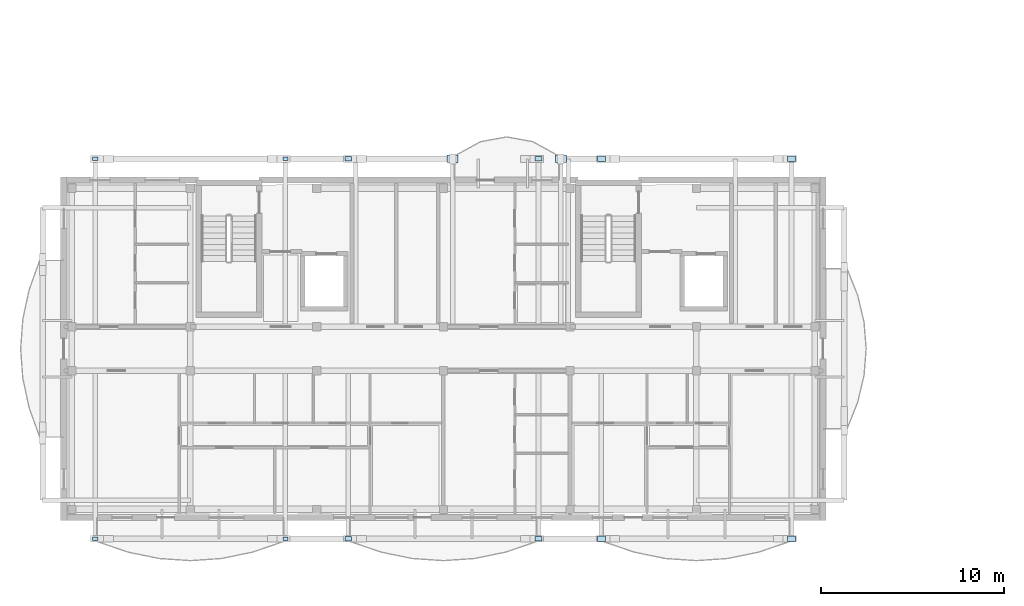
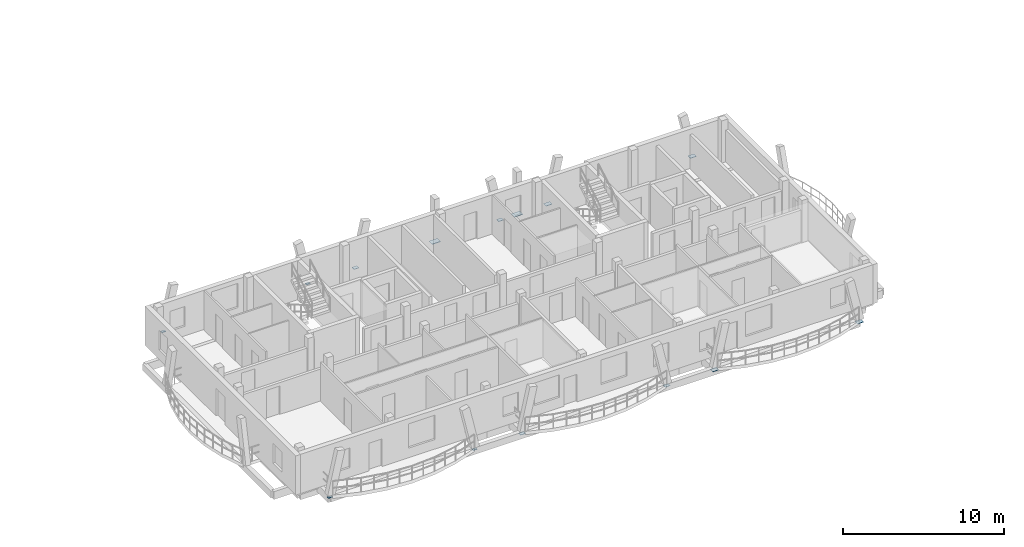
# One storey, part 7 of 21: 14 plates.
"""IFC4 building model written with IfcOpenShell, lengths in metres."""

from ifc_helpers import new_model, si_unit, direction, frame, origin, origin_2d, place, context, subcontext, project, spatial, rectangle, extrude, material, layer, layer_set, type_object, element, save


model = new_model("IFC4")

# Units and contexts
model_context = context("Model", 3, precision=1e-05, world=origin(), true_north=direction((0.0, 1.0)))
body_context = subcontext(model_context, "Body", "Model", "MODEL_VIEW")
ifc_project = project(units=[si_unit("LENGTHUNIT", "METRE"), si_unit("AREAUNIT", "SQUARE_METRE"), si_unit("VOLUMEUNIT", "CUBIC_METRE"), si_unit("PLANEANGLEUNIT", "RADIAN"), si_unit("MASSUNIT", "GRAM", prefix="KILO")], contexts=[model_context])

# Site, building, storey
site_placement = place(None, origin())
site = spatial("IfcSite", under=ifc_project, at=site_placement, CompositionType="ELEMENT")
building_placement = place(site_placement, origin())
building = spatial("IfcBuilding", under=site, at=building_placement, Name="Zavelmont Quarter", CompositionType="ELEMENT")
storey_placement = place(building_placement, frame((0.0, 0.0, 36.800048828125)))
storey = spatial("IfcBuildingStorey", under=building, at=storey_placement, Name="L11", CompositionType="ELEMENT", Elevation=36.800048828125)

# Plates
ifc_material = material(Name="Steel S355", Category="steel")
ifc_layer_1 = layer(ifc_material, 0.02001953125)
ifc_layer_set_1 = layer_set([ifc_layer_1], Name="Steel S355")
plate_type_1 = type_object("IfcPlateType", Name="NP01", PredefinedType="SHEET", material=ifc_layer_set_1)
for number, where, z_axis, x_axis, name in (
    (1, (1.716064453125, -1.162109375, -0.2099609375), (0.0, 0.0, 1.0), (1.0, 0.0, 0.0), "L11 steel connection plate NP01 at 1/A"),
    (2, (12.083984375, -1.162109375, -0.2099609375), (0.0, 0.0, 1.0), (1.0, 0.0, 0.0), "L11 steel connection plate NP01 at 3/A"),
    (3, (1.716064453125, 19.56201171875, -0.2099609375), (0.0, 0.0, 1.0), (1.0, 0.0, 0.0), "L11 steel connection plate NP01 at 1/D"),
    (4, (12.083984375, 19.56201171875, -0.2099609375), (0.0, 0.0, 1.0), (1.0, 0.0, 0.0), "L11 steel connection plate NP01 at 3/D"),
):
    element("IfcPlate", number, at=place(storey_placement, frame(where, z_axis=z_axis, x_axis=x_axis)), inside=storey, type_object=plate_type_1, Name=name, PredefinedType="SHEET", context=body_context, shape_type="SweptSolid", body=[
        extrude(rectangle(XDim=0.280029296875, YDim=0.179931640625, at=origin_2d()), origin(), (0.0, 0.0, 1.0), 0.02001953125),
    ])
ifc_layer_2 = layer(ifc_material, 0.02392578125)
ifc_layer_set_2 = layer_set([ifc_layer_2], Name="Steel S355")
plate_type_2 = type_object("IfcPlateType", Name="NP02", PredefinedType="SHEET", material=ifc_layer_set_2)
for number, where, z_axis, x_axis, name in (
    (5, (15.51611328125, -1.162109375, -0.2119140625), (0.0, 0.0, 1.0), (1.0, 0.0, 0.0), "L11 steel connection plate NP02 at 3/A"),
    (6, (25.8837890625, -1.162109375, -0.2119140625), (0.0, 0.0, 1.0), (1.0, 0.0, 0.0), "L11 steel connection plate NP02 at 5/A"),
    (7, (15.51611328125, 19.56201171875, -0.2119140625), (0.0, 0.0, 1.0), (1.0, 0.0, 0.0), "L11 steel connection plate NP02 at 3/D"),
    (8, (25.8837890625, 19.56201171875, -0.2119140625), (0.0, 0.0, 1.0), (1.0, 0.0, 0.0), "L11 steel connection plate NP02 at 5/D"),
):
    element("IfcPlate", number, at=place(storey_placement, frame(where, z_axis=z_axis, x_axis=x_axis)), inside=storey, type_object=plate_type_2, Name=name, PredefinedType="SHEET", context=body_context, shape_type="SweptSolid", body=[
        extrude(rectangle(XDim=0.360107421875, YDim=0.260009765625, at=origin_2d()), origin(), (0.0, 0.0, 1.0), 0.02392578125),
    ])
ifc_layer_3 = layer(ifc_material, 0.02490234375)
ifc_layer_set_3 = layer_set([ifc_layer_3], Name="Steel S355")
plate_type_3 = type_object("IfcPlateType", Name="NP03", PredefinedType="SHEET", material=ifc_layer_set_3)
for number, where, z_axis, x_axis, name in (
    (9, (29.316162109375, -1.162109375, -0.21240234375), (0.0, 0.0, 1.0), (1.0, 0.0, 0.0), "L11 steel connection plate NP03 at 5/A"),
    (10, (39.683837890625, -1.162109375, -0.21240234375), (0.0, 0.0, 1.0), (1.0, 0.0, 0.0), "L11 steel connection plate NP03 at 7/A"),
    (11, (29.316162109375, 19.56201171875, -0.21240234375), (0.0, 0.0, 1.0), (1.0, 0.0, 0.0), "L11 steel connection plate NP03 at 5/D"),
    (12, (39.683837890625, 19.56201171875, -0.21240234375), (0.0, 0.0, 1.0), (1.0, 0.0, 0.0), "L11 steel connection plate NP03 at 7/D"),
):
    element("IfcPlate", number, at=place(storey_placement, frame(where, z_axis=z_axis, x_axis=x_axis)), inside=storey, type_object=plate_type_3, Name=name, PredefinedType="SHEET", context=body_context, shape_type="SweptSolid", body=[
        extrude(rectangle(XDim=0.43994140625, YDim=0.320068359375, at=origin_2d()), origin(), (0.0, 0.0, 1.0), 0.02490234375),
    ])
ifc_layer_4 = layer(ifc_material, 0.030029296875)
ifc_layer_set_4 = layer_set([ifc_layer_4], Name="Steel S355")
plate_type_4 = type_object("IfcPlateType", Name="NP05", PredefinedType="SHEET", material=ifc_layer_set_4)
for number, where, z_axis, x_axis, name in (
    (13, (21.199951171875, 19.56201171875, -0.21484375), (0.0, 0.0, 1.0), (1.0, 0.0, 0.0), "L11 steel connection plate NP05 at 4/D"),
    (14, (27.10009765625, 19.56201171875, -0.21484375), (0.0, 0.0, 1.0), (1.0, 0.0, 0.0), "L11 steel connection plate NP05 at 5/D"),
):
    element("IfcPlate", number, at=place(storey_placement, frame(where, z_axis=z_axis, x_axis=x_axis)), inside=storey, type_object=plate_type_4, Name=name, PredefinedType="SHEET", context=body_context, shape_type="SweptSolid", body=[
        extrude(rectangle(XDim=0.60009765625, YDim=0.39990234375, at=origin_2d()), origin(), (0.0, 0.0, 1.0), 0.030029296875),
    ])

save(model, "model.ifc")
